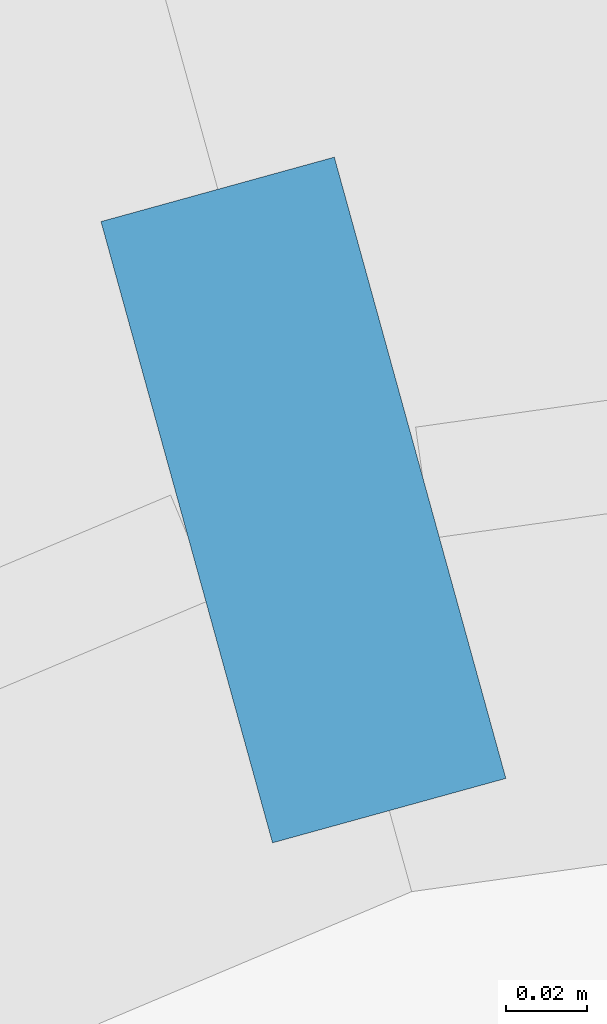
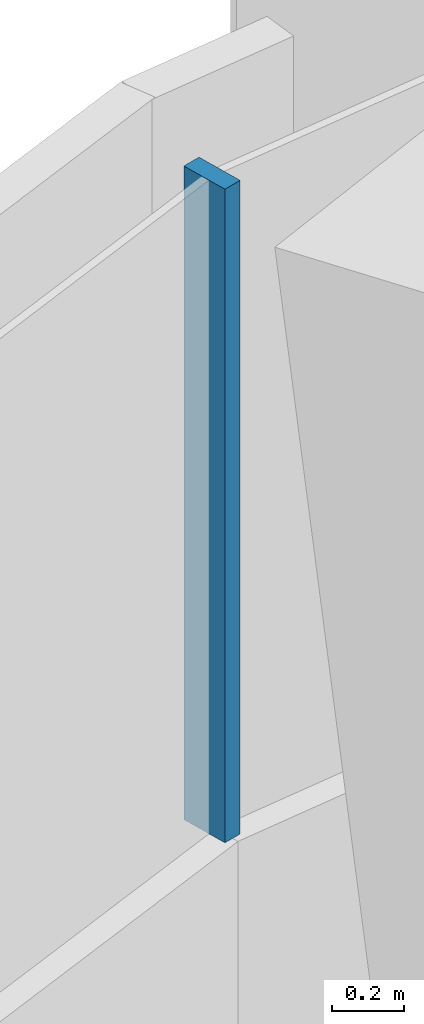
# One storey, part 18 of 35: 1 member, 1 element without a shape of its own.
"""IFC4 building model written with IfcOpenShell, lengths in metres."""

from ifc_helpers import new_model, si_unit, direction, frame, origin, origin_2d, place, context, subcontext, project, spatial, rectangle, extrude, material, layer, layer_set, material_profile, profile_set, type_object, element, aggregate, save


model = new_model("IFC4")

# Units and contexts
model_context = context("Model", 3, precision=1e-05, world=origin(), true_north=direction((0.0, 1.0)))
body_context = subcontext(model_context, "Body", "Model", "MODEL_VIEW")
ifc_project = project(units=[si_unit("LENGTHUNIT", "METRE"), si_unit("AREAUNIT", "SQUARE_METRE"), si_unit("VOLUMEUNIT", "CUBIC_METRE"), si_unit("PLANEANGLEUNIT", "RADIAN"), si_unit("MASSUNIT", "GRAM", prefix="KILO")], contexts=[model_context])

# Site, building, storey
site_placement = place(None, origin())
site = spatial("IfcSite", under=ifc_project, at=site_placement, CompositionType="ELEMENT")
building_placement = place(site_placement, origin())
building = spatial("IfcBuilding", under=site, at=building_placement, Name="Tamarind Cross Interchange Tower", CompositionType="ELEMENT")
storey_placement = place(building_placement, frame((0.0, 0.0, 117.25)))
storey = spatial("IfcBuildingStorey", under=building, at=storey_placement, Name="L28", CompositionType="ELEMENT", Elevation=117.25)

# Curtain wall, member
ifc_material = material(Name="Aluminium 6063-T6", Category="aluminium")
ifc_layer = layer(ifc_material, 0.159912109375)
ifc_layer_set = layer_set([ifc_layer], Name="Aluminium 6063-T6")
curtain_wall_type = type_object("IfcCurtainWallType", Name="Office curtain wall, 9.0 m bays", PredefinedType="NOTDEFINED", material=ifc_layer_set)
curtain_wall_placement = place(storey_placement, origin())
curtain_wall = element("IfcCurtainWall", 1, at=curtain_wall_placement, inside=storey, type_object=curtain_wall_type, Name="CWS-L28-09", PredefinedType="NOTDEFINED")
ifc_material_profile = material_profile(ifc_material, rectangle(XDim=0.06005859375, YDim=0.159912109375, at=origin_2d()), Name="Mullion CW1")
ifc_profile_set = profile_set([ifc_material_profile], Name="Aluminium 6063-T6")
member_type = type_object("IfcMemberType", Name="Mullion CW1", PredefinedType="MULLION", material=ifc_profile_set)
member_placement = place(storey_placement, frame((42.56884765625, 16.111328125, 1.39990234375), z_axis=(0.0, 0.0, 1.0), x_axis=(-0.963923532466, -0.266179307155, 0.0)))
member = element("IfcMember", 2, at=member_placement, type_object=member_type, Name="CWM-L28-09-00", PredefinedType="MULLION", context=body_context, shape_type="SweptSolid", body=[
    extrude(rectangle(XDim=0.06005859375, YDim=0.159912109375, at=origin_2d()), origin(), (0.0, 0.0, 1.0), 2.210205078125),
])
aggregate(curtain_wall, [member])

save(model, "model.ifc")
